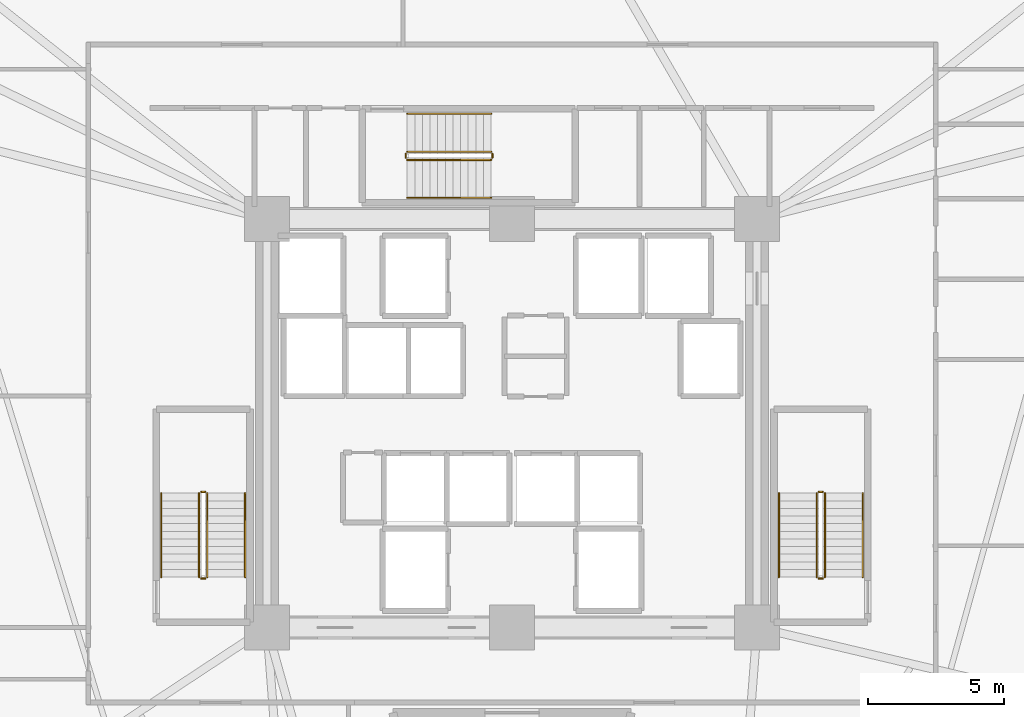
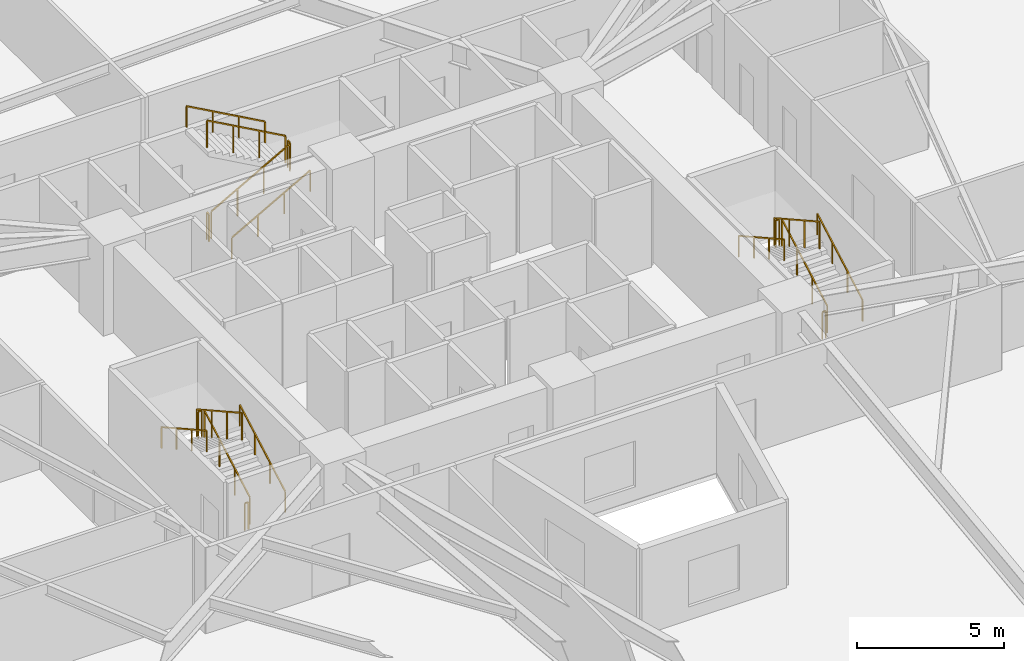
# One storey, part 8 of 8: 18 railings.
"""IFC4 building model written with IfcOpenShell, lengths in metres."""

from ifc_helpers import new_model, si_unit, direction, frame, origin, origin_2d, place, context, subcontext, project, spatial, rectangle, extrude, material, type_object, element, save


model = new_model("IFC4")

# Units and contexts
model_context = context("Model", 3, precision=1e-05, world=origin(), true_north=direction((0.0, 1.0)))
body_context = subcontext(model_context, "Body", "Model", "MODEL_VIEW")
ifc_project = project(units=[si_unit("LENGTHUNIT", "METRE"), si_unit("AREAUNIT", "SQUARE_METRE"), si_unit("VOLUMEUNIT", "CUBIC_METRE"), si_unit("PLANEANGLEUNIT", "RADIAN"), si_unit("MASSUNIT", "GRAM", prefix="KILO")], contexts=[model_context])

# Site, building, storey
site_placement = place(None, origin())
site = spatial("IfcSite", under=ifc_project, at=site_placement, CompositionType="ELEMENT")
building_placement = place(site_placement, origin())
building = spatial("IfcBuilding", under=site, at=building_placement, Name="Liaohun Quay Tower", CompositionType="ELEMENT")
storey_placement = place(building_placement, frame((0.0, 0.0, 39.75)))
storey = spatial("IfcBuildingStorey", under=building, at=storey_placement, Name="L10", CompositionType="ELEMENT", Elevation=39.75)

# Railings
ifc_material_1 = material(Name="Painted tubular steel", Category="steel")
railing_type_1 = type_object("IfcRailingType", Name="RLG-GUARD-STR", PredefinedType="GUARDRAIL", material=ifc_material_1)
railing_1_placement = place(storey_placement, frame((48.81005859375, 48.35009765625, 0.15625)))
element("IfcRailing", 1, at=railing_1_placement, inside=storey, type_object=railing_type_1, Name="L10 ST-1 stair guard 1", PredefinedType="GUARDRAIL", context=body_context, shape_type="SweptSolid", body=[
    extrude(rectangle(XDim=0.048095703125, YDim=0.048095703125, at=origin_2d()), frame((0.0, 0.0, 1.1259765625), z_axis=(0.0, 0.873225103656, 0.487317061414), x_axis=(-1.0, 0.0, 0.0)), (0.0, 0.0, 1.0), 3.52685546875),
    extrude(rectangle(XDim=0.0419921875, YDim=0.0419921875, at=origin_2d()), origin(), (0.0, 0.0, 1.0), 1.101806640625),
    extrude(rectangle(XDim=0.0419921875, YDim=0.0419921875, at=origin_2d()), frame((0.0, 1.026611328125, 0.572998046875)), (0.0, 0.0, 1.0), 1.101806640625),
    extrude(rectangle(XDim=0.0419921875, YDim=0.0419921875, at=origin_2d()), frame((0.0, 2.05322265625, 1.145751953125)), (0.0, 0.0, 1.0), 1.101806640625),
    extrude(rectangle(XDim=0.0419921875, YDim=0.0419921875, at=origin_2d()), frame((0.0, 3.079833984375, 1.71875)), (0.0, 0.0, 1.0), 1.101806640625),
])
railing_2_placement = place(storey_placement, frame((48.72998046875, 51.47998046875, 1.875)))
element("IfcRailing", 2, at=railing_2_placement, inside=storey, type_object=railing_type_1, Name="L10 ST-1 stair guard 2", PredefinedType="GUARDRAIL", context=body_context, shape_type="SweptSolid", body=[
    extrude(rectangle(XDim=0.048095703125, YDim=0.048095703125, at=origin_2d()), frame((0.0, 0.0, 1.1259765625), z_axis=(-1.0, 0.0, 0.0), x_axis=(0.0, -1.0, 0.0)), (0.0, 0.0, 1.0), 0.139892578125),
    extrude(rectangle(XDim=0.0419921875, YDim=0.0419921875, at=origin_2d()), origin(), (0.0, 0.0, 1.0), 1.101806640625),
    extrude(rectangle(XDim=0.0419921875, YDim=0.0419921875, at=origin_2d()), frame((-0.139892578125, 0.0, 0.0)), (0.0, 0.0, 1.0), 1.101806640625),
])
railing_3_placement = place(storey_placement, frame((48.510009765625, 51.429931640625, 2.03125)))
element("IfcRailing", 3, at=railing_3_placement, inside=storey, type_object=railing_type_1, Name="L10 ST-1 stair guard 3", PredefinedType="GUARDRAIL", context=body_context, shape_type="SweptSolid", body=[
    extrude(rectangle(XDim=0.048095703125, YDim=0.048095703125, at=origin_2d()), frame((0.0, 0.0, 1.1259765625), z_axis=(0.0, -0.873225103656, 0.487317061414), x_axis=(1.0, 0.0, 0.0)), (0.0, 0.0, 1.0), 3.52685546875),
    extrude(rectangle(XDim=0.0419921875, YDim=0.0419921875, at=origin_2d()), origin(), (0.0, 0.0, 1.0), 1.101806640625),
    extrude(rectangle(XDim=0.0419921875, YDim=0.0419921875, at=origin_2d()), frame((0.0, -1.026611328125, 0.572998046875)), (0.0, 0.0, 1.0), 1.101806640625),
    extrude(rectangle(XDim=0.0419921875, YDim=0.0419921875, at=origin_2d()), frame((0.0, -2.05322265625, 1.145751953125)), (0.0, 0.0, 1.0), 1.101806640625),
    extrude(rectangle(XDim=0.0419921875, YDim=0.0419921875, at=origin_2d()), frame((0.0, -3.079833984375, 1.71875)), (0.0, 0.0, 1.0), 1.101806640625),
])
railing_4_placement = place(storey_placement, frame((48.72998046875, 48.300048828125, 0.0)))
element("IfcRailing", 4, at=railing_4_placement, inside=storey, type_object=railing_type_1, Name="L10 ST-1 stair guard 4", PredefinedType="GUARDRAIL", context=body_context, shape_type="SweptSolid", body=[
    extrude(rectangle(XDim=0.048095703125, YDim=0.048095703125, at=origin_2d()), frame((0.0, 0.0, 1.1259765625), z_axis=(-1.0, 0.0, 0.0), x_axis=(0.0, -1.0, 0.0)), (0.0, 0.0, 1.0), 0.139892578125),
    extrude(rectangle(XDim=0.0419921875, YDim=0.0419921875, at=origin_2d()), origin(), (0.0, 0.0, 1.0), 1.101806640625),
    extrude(rectangle(XDim=0.0419921875, YDim=0.0419921875, at=origin_2d()), frame((-0.139892578125, 0.0, 0.0)), (0.0, 0.0, 1.0), 1.101806640625),
])
railing_5_placement = place(storey_placement, frame((71.489990234375, 48.35009765625, 0.15625)))
element("IfcRailing", 5, at=railing_5_placement, inside=storey, type_object=railing_type_1, Name="L10 ST-2 stair guard 1", PredefinedType="GUARDRAIL", context=body_context, shape_type="SweptSolid", body=[
    extrude(rectangle(XDim=0.048095703125, YDim=0.048095703125, at=origin_2d()), frame((0.0, 0.0, 1.1259765625), z_axis=(0.0, 0.873225103656, 0.487317061414), x_axis=(-1.0, 0.0, 0.0)), (0.0, 0.0, 1.0), 3.52685546875),
    extrude(rectangle(XDim=0.0419921875, YDim=0.0419921875, at=origin_2d()), origin(), (0.0, 0.0, 1.0), 1.101806640625),
    extrude(rectangle(XDim=0.0419921875, YDim=0.0419921875, at=origin_2d()), frame((0.0, 1.026611328125, 0.572998046875)), (0.0, 0.0, 1.0), 1.101806640625),
    extrude(rectangle(XDim=0.0419921875, YDim=0.0419921875, at=origin_2d()), frame((0.0, 2.05322265625, 1.145751953125)), (0.0, 0.0, 1.0), 1.101806640625),
    extrude(rectangle(XDim=0.0419921875, YDim=0.0419921875, at=origin_2d()), frame((0.0, 3.079833984375, 1.71875)), (0.0, 0.0, 1.0), 1.101806640625),
])
railing_6_placement = place(storey_placement, frame((71.409912109375, 51.47998046875, 1.875)))
element("IfcRailing", 6, at=railing_6_placement, inside=storey, type_object=railing_type_1, Name="L10 ST-2 stair guard 2", PredefinedType="GUARDRAIL", context=body_context, shape_type="SweptSolid", body=[
    extrude(rectangle(XDim=0.048095703125, YDim=0.048095703125, at=origin_2d()), frame((0.0, 0.0, 1.1259765625), z_axis=(-1.0, 0.0, 0.0), x_axis=(0.0, -1.0, 0.0)), (0.0, 0.0, 1.0), 0.139892578125),
    extrude(rectangle(XDim=0.0419921875, YDim=0.0419921875, at=origin_2d()), origin(), (0.0, 0.0, 1.0), 1.101806640625),
    extrude(rectangle(XDim=0.0419921875, YDim=0.0419921875, at=origin_2d()), frame((-0.139892578125, 0.0, 0.0)), (0.0, 0.0, 1.0), 1.101806640625),
])
railing_7_placement = place(storey_placement, frame((71.18994140625, 51.429931640625, 2.03125)))
element("IfcRailing", 7, at=railing_7_placement, inside=storey, type_object=railing_type_1, Name="L10 ST-2 stair guard 3", PredefinedType="GUARDRAIL", context=body_context, shape_type="SweptSolid", body=[
    extrude(rectangle(XDim=0.048095703125, YDim=0.048095703125, at=origin_2d()), frame((0.0, 0.0, 1.1259765625), z_axis=(0.0, -0.873225103656, 0.487317061414), x_axis=(1.0, 0.0, 0.0)), (0.0, 0.0, 1.0), 3.52685546875),
    extrude(rectangle(XDim=0.0419921875, YDim=0.0419921875, at=origin_2d()), origin(), (0.0, 0.0, 1.0), 1.101806640625),
    extrude(rectangle(XDim=0.0419921875, YDim=0.0419921875, at=origin_2d()), frame((0.0, -1.026611328125, 0.572998046875)), (0.0, 0.0, 1.0), 1.101806640625),
    extrude(rectangle(XDim=0.0419921875, YDim=0.0419921875, at=origin_2d()), frame((0.0, -2.05322265625, 1.145751953125)), (0.0, 0.0, 1.0), 1.101806640625),
    extrude(rectangle(XDim=0.0419921875, YDim=0.0419921875, at=origin_2d()), frame((0.0, -3.079833984375, 1.71875)), (0.0, 0.0, 1.0), 1.101806640625),
])
railing_8_placement = place(storey_placement, frame((71.409912109375, 48.300048828125, 0.0)))
element("IfcRailing", 8, at=railing_8_placement, inside=storey, type_object=railing_type_1, Name="L10 ST-2 stair guard 4", PredefinedType="GUARDRAIL", context=body_context, shape_type="SweptSolid", body=[
    extrude(rectangle(XDim=0.048095703125, YDim=0.048095703125, at=origin_2d()), frame((0.0, 0.0, 1.1259765625), z_axis=(-1.0, 0.0, 0.0), x_axis=(0.0, -1.0, 0.0)), (0.0, 0.0, 1.0), 0.139892578125),
    extrude(rectangle(XDim=0.0419921875, YDim=0.0419921875, at=origin_2d()), origin(), (0.0, 0.0, 1.0), 1.101806640625),
    extrude(rectangle(XDim=0.0419921875, YDim=0.0419921875, at=origin_2d()), frame((-0.139892578125, 0.0, 0.0)), (0.0, 0.0, 1.0), 1.101806640625),
])
railing_9_placement = place(storey_placement, frame((56.14990234375, 63.669921875, 0.15625)))
element("IfcRailing", 9, at=railing_9_placement, inside=storey, type_object=railing_type_1, Name="L10 ST-3 stair guard 1", PredefinedType="GUARDRAIL", context=body_context, shape_type="SweptSolid", body=[
    extrude(rectangle(XDim=0.048095703125, YDim=0.048095703125, at=origin_2d()), frame((0.0, 0.0, 1.1259765625), z_axis=(0.873241540666, 0.0, 0.487287606713), x_axis=(0.0, 1.0, 0.0)), (0.0, 0.0, 1.0), 3.527099609375),
    extrude(rectangle(XDim=0.0419921875, YDim=0.0419921875, at=origin_2d()), origin(), (0.0, 0.0, 1.0), 1.101806640625),
    extrude(rectangle(XDim=0.0419921875, YDim=0.0419921875, at=origin_2d()), frame((1.026611328125, 0.0, 0.572998046875)), (0.0, 0.0, 1.0), 1.101806640625),
    extrude(rectangle(XDim=0.0419921875, YDim=0.0419921875, at=origin_2d()), frame((2.053466796875, 0.0, 1.145751953125)), (0.0, 0.0, 1.0), 1.101806640625),
    extrude(rectangle(XDim=0.0419921875, YDim=0.0419921875, at=origin_2d()), frame((3.080078125, 0.0, 1.71875)), (0.0, 0.0, 1.0), 1.101806640625),
])
railing_10_placement = place(storey_placement, frame((59.280029296875, 63.75, 1.875)))
element("IfcRailing", 10, at=railing_10_placement, inside=storey, type_object=railing_type_1, Name="L10 ST-3 stair guard 2", PredefinedType="GUARDRAIL", context=body_context, shape_type="SweptSolid", body=[
    extrude(rectangle(XDim=0.048095703125, YDim=0.048095703125, at=origin_2d()), frame((0.0, 0.0, 1.1259765625), z_axis=(0.0, 1.0, 0.0), x_axis=(-1.0, 0.0, 0.0)), (0.0, 0.0, 1.0), 0.139892578125),
    extrude(rectangle(XDim=0.0419921875, YDim=0.0419921875, at=origin_2d()), origin(), (0.0, 0.0, 1.0), 1.101806640625),
    extrude(rectangle(XDim=0.0419921875, YDim=0.0419921875, at=origin_2d()), frame((0.0, 0.139892578125, 0.0)), (0.0, 0.0, 1.0), 1.101806640625),
])
railing_11_placement = place(storey_placement, frame((59.22998046875, 63.969970703125, 2.03125)))
element("IfcRailing", 11, at=railing_11_placement, inside=storey, type_object=railing_type_1, Name="L10 ST-3 stair guard 3", PredefinedType="GUARDRAIL", context=body_context, shape_type="SweptSolid", body=[
    extrude(rectangle(XDim=0.048095703125, YDim=0.048095703125, at=origin_2d()), frame((0.0, 0.0, 1.1259765625), z_axis=(-0.873241540666, 0.0, 0.487287606713), x_axis=(0.0, -1.0, 0.0)), (0.0, 0.0, 1.0), 3.527099609375),
    extrude(rectangle(XDim=0.0419921875, YDim=0.0419921875, at=origin_2d()), origin(), (0.0, 0.0, 1.0), 1.101806640625),
    extrude(rectangle(XDim=0.0419921875, YDim=0.0419921875, at=origin_2d()), frame((-1.026611328125, 0.0, 0.572998046875)), (0.0, 0.0, 1.0), 1.101806640625),
    extrude(rectangle(XDim=0.0419921875, YDim=0.0419921875, at=origin_2d()), frame((-2.053466796875, 0.0, 1.145751953125)), (0.0, 0.0, 1.0), 1.101806640625),
    extrude(rectangle(XDim=0.0419921875, YDim=0.0419921875, at=origin_2d()), frame((-3.080078125, 0.0, 1.71875)), (0.0, 0.0, 1.0), 1.101806640625),
])
railing_12_placement = place(storey_placement, frame((56.10009765625, 63.75, 0.0)))
element("IfcRailing", 12, at=railing_12_placement, inside=storey, type_object=railing_type_1, Name="L10 ST-3 stair guard 4", PredefinedType="GUARDRAIL", context=body_context, shape_type="SweptSolid", body=[
    extrude(rectangle(XDim=0.048095703125, YDim=0.048095703125, at=origin_2d()), frame((0.0, 0.0, 1.1259765625), z_axis=(0.0, 1.0, 0.0), x_axis=(-1.0, 0.0, 0.0)), (0.0, 0.0, 1.0), 0.139892578125),
    extrude(rectangle(XDim=0.0419921875, YDim=0.0419921875, at=origin_2d()), origin(), (0.0, 0.0, 1.0), 1.101806640625),
    extrude(rectangle(XDim=0.0419921875, YDim=0.0419921875, at=origin_2d()), frame((0.0, 0.139892578125, 0.0)), (0.0, 0.0, 1.0), 1.101806640625),
])
ifc_material_2 = material(Name="Brushed stainless steel", Category="steel")
railing_type_2 = type_object("IfcRailingType", Name="RLG-HND-STR", PredefinedType="HANDRAIL", material=ifc_material_2)
railing_13_placement = place(storey_placement, frame((50.199951171875, 48.35009765625, 0.15625)))
element("IfcRailing", 13, at=railing_13_placement, inside=storey, type_object=railing_type_2, Name="L10 ST-1 stair handrail 1", PredefinedType="HANDRAIL", context=body_context, shape_type="SweptSolid", body=[
    extrude(rectangle(XDim=0.048095703125, YDim=0.048095703125, at=origin_2d()), frame((0.0, 0.0, 0.8759765625), z_axis=(0.0, 0.873225103656, 0.487317061414), x_axis=(-1.0, 0.0, 0.0)), (0.0, 0.0, 1.0), 3.52685546875),
    extrude(rectangle(XDim=0.0419921875, YDim=0.0419921875, at=origin_2d()), origin(), (0.0, 0.0, 1.0), 0.851806640625),
    extrude(rectangle(XDim=0.0419921875, YDim=0.0419921875, at=origin_2d()), frame((0.0, 1.026611328125, 0.572998046875)), (0.0, 0.0, 1.0), 0.851806640625),
    extrude(rectangle(XDim=0.0419921875, YDim=0.0419921875, at=origin_2d()), frame((0.0, 2.05322265625, 1.145751953125)), (0.0, 0.0, 1.0), 0.851806640625),
    extrude(rectangle(XDim=0.0419921875, YDim=0.0419921875, at=origin_2d()), frame((0.0, 3.079833984375, 1.71875)), (0.0, 0.0, 1.0), 0.851806640625),
])
railing_14_placement = place(storey_placement, frame((47.1201171875, 51.429931640625, 2.03125)))
element("IfcRailing", 14, at=railing_14_placement, inside=storey, type_object=railing_type_2, Name="L10 ST-1 stair handrail 2", PredefinedType="HANDRAIL", context=body_context, shape_type="SweptSolid", body=[
    extrude(rectangle(XDim=0.048095703125, YDim=0.048095703125, at=origin_2d()), frame((0.0, 0.0, 0.8759765625), z_axis=(0.0, -0.873225103656, 0.487317061414), x_axis=(1.0, 0.0, 0.0)), (0.0, 0.0, 1.0), 3.52685546875),
    extrude(rectangle(XDim=0.0419921875, YDim=0.0419921875, at=origin_2d()), origin(), (0.0, 0.0, 1.0), 0.851806640625),
    extrude(rectangle(XDim=0.0419921875, YDim=0.0419921875, at=origin_2d()), frame((0.0, -1.026611328125, 0.572998046875)), (0.0, 0.0, 1.0), 0.851806640625),
    extrude(rectangle(XDim=0.0419921875, YDim=0.0419921875, at=origin_2d()), frame((0.0, -2.05322265625, 1.145751953125)), (0.0, 0.0, 1.0), 0.851806640625),
    extrude(rectangle(XDim=0.0419921875, YDim=0.0419921875, at=origin_2d()), frame((0.0, -3.079833984375, 1.71875)), (0.0, 0.0, 1.0), 0.851806640625),
])
railing_15_placement = place(storey_placement, frame((72.8798828125, 48.35009765625, 0.15625)))
element("IfcRailing", 15, at=railing_15_placement, inside=storey, type_object=railing_type_2, Name="L10 ST-2 stair handrail 1", PredefinedType="HANDRAIL", context=body_context, shape_type="SweptSolid", body=[
    extrude(rectangle(XDim=0.048095703125, YDim=0.048095703125, at=origin_2d()), frame((0.0, 0.0, 0.8759765625), z_axis=(0.0, 0.873225103656, 0.487317061414), x_axis=(-1.0, 0.0, 0.0)), (0.0, 0.0, 1.0), 3.52685546875),
    extrude(rectangle(XDim=0.0419921875, YDim=0.0419921875, at=origin_2d()), origin(), (0.0, 0.0, 1.0), 0.851806640625),
    extrude(rectangle(XDim=0.0419921875, YDim=0.0419921875, at=origin_2d()), frame((0.0, 1.026611328125, 0.572998046875)), (0.0, 0.0, 1.0), 0.851806640625),
    extrude(rectangle(XDim=0.0419921875, YDim=0.0419921875, at=origin_2d()), frame((0.0, 2.05322265625, 1.145751953125)), (0.0, 0.0, 1.0), 0.851806640625),
    extrude(rectangle(XDim=0.0419921875, YDim=0.0419921875, at=origin_2d()), frame((0.0, 3.079833984375, 1.71875)), (0.0, 0.0, 1.0), 0.851806640625),
])
railing_16_placement = place(storey_placement, frame((69.800048828125, 51.429931640625, 2.03125)))
element("IfcRailing", 16, at=railing_16_placement, inside=storey, type_object=railing_type_2, Name="L10 ST-2 stair handrail 2", PredefinedType="HANDRAIL", context=body_context, shape_type="SweptSolid", body=[
    extrude(rectangle(XDim=0.048095703125, YDim=0.048095703125, at=origin_2d()), frame((0.0, 0.0, 0.8759765625), z_axis=(0.0, -0.873225103656, 0.487317061414), x_axis=(1.0, 0.0, 0.0)), (0.0, 0.0, 1.0), 3.52685546875),
    extrude(rectangle(XDim=0.0419921875, YDim=0.0419921875, at=origin_2d()), origin(), (0.0, 0.0, 1.0), 0.851806640625),
    extrude(rectangle(XDim=0.0419921875, YDim=0.0419921875, at=origin_2d()), frame((0.0, -1.026611328125, 0.572998046875)), (0.0, 0.0, 1.0), 0.851806640625),
    extrude(rectangle(XDim=0.0419921875, YDim=0.0419921875, at=origin_2d()), frame((0.0, -2.05322265625, 1.145751953125)), (0.0, 0.0, 1.0), 0.851806640625),
    extrude(rectangle(XDim=0.0419921875, YDim=0.0419921875, at=origin_2d()), frame((0.0, -3.079833984375, 1.71875)), (0.0, 0.0, 1.0), 0.851806640625),
])
railing_17_placement = place(storey_placement, frame((56.14990234375, 62.280029296875, 0.15625)))
element("IfcRailing", 17, at=railing_17_placement, inside=storey, type_object=railing_type_2, Name="L10 ST-3 stair handrail 1", PredefinedType="HANDRAIL", context=body_context, shape_type="SweptSolid", body=[
    extrude(rectangle(XDim=0.048095703125, YDim=0.048095703125, at=origin_2d()), frame((0.0, 0.0, 0.8759765625), z_axis=(0.873241540666, 0.0, 0.487287606713), x_axis=(0.0, 1.0, 0.0)), (0.0, 0.0, 1.0), 3.527099609375),
    extrude(rectangle(XDim=0.0419921875, YDim=0.0419921875, at=origin_2d()), origin(), (0.0, 0.0, 1.0), 0.851806640625),
    extrude(rectangle(XDim=0.0419921875, YDim=0.0419921875, at=origin_2d()), frame((1.026611328125, 0.0, 0.572998046875)), (0.0, 0.0, 1.0), 0.851806640625),
    extrude(rectangle(XDim=0.0419921875, YDim=0.0419921875, at=origin_2d()), frame((2.053466796875, 0.0, 1.145751953125)), (0.0, 0.0, 1.0), 0.851806640625),
    extrude(rectangle(XDim=0.0419921875, YDim=0.0419921875, at=origin_2d()), frame((3.080078125, 0.0, 1.71875)), (0.0, 0.0, 1.0), 0.851806640625),
])
railing_18_placement = place(storey_placement, frame((59.22998046875, 65.360107421875, 2.03125)))
element("IfcRailing", 18, at=railing_18_placement, inside=storey, type_object=railing_type_2, Name="L10 ST-3 stair handrail 2", PredefinedType="HANDRAIL", context=body_context, shape_type="SweptSolid", body=[
    extrude(rectangle(XDim=0.048095703125, YDim=0.048095703125, at=origin_2d()), frame((0.0, 0.0, 0.8759765625), z_axis=(-0.873241540666, 0.0, 0.487287606713), x_axis=(0.0, -1.0, 0.0)), (0.0, 0.0, 1.0), 3.527099609375),
    extrude(rectangle(XDim=0.0419921875, YDim=0.0419921875, at=origin_2d()), origin(), (0.0, 0.0, 1.0), 0.851806640625),
    extrude(rectangle(XDim=0.0419921875, YDim=0.0419921875, at=origin_2d()), frame((-1.026611328125, 0.0, 0.572998046875)), (0.0, 0.0, 1.0), 0.851806640625),
    extrude(rectangle(XDim=0.0419921875, YDim=0.0419921875, at=origin_2d()), frame((-2.053466796875, 0.0, 1.145751953125)), (0.0, 0.0, 1.0), 0.851806640625),
    extrude(rectangle(XDim=0.0419921875, YDim=0.0419921875, at=origin_2d()), frame((-3.080078125, 0.0, 1.71875)), (0.0, 0.0, 1.0), 0.851806640625),
])

save(model, "model.ifc")
